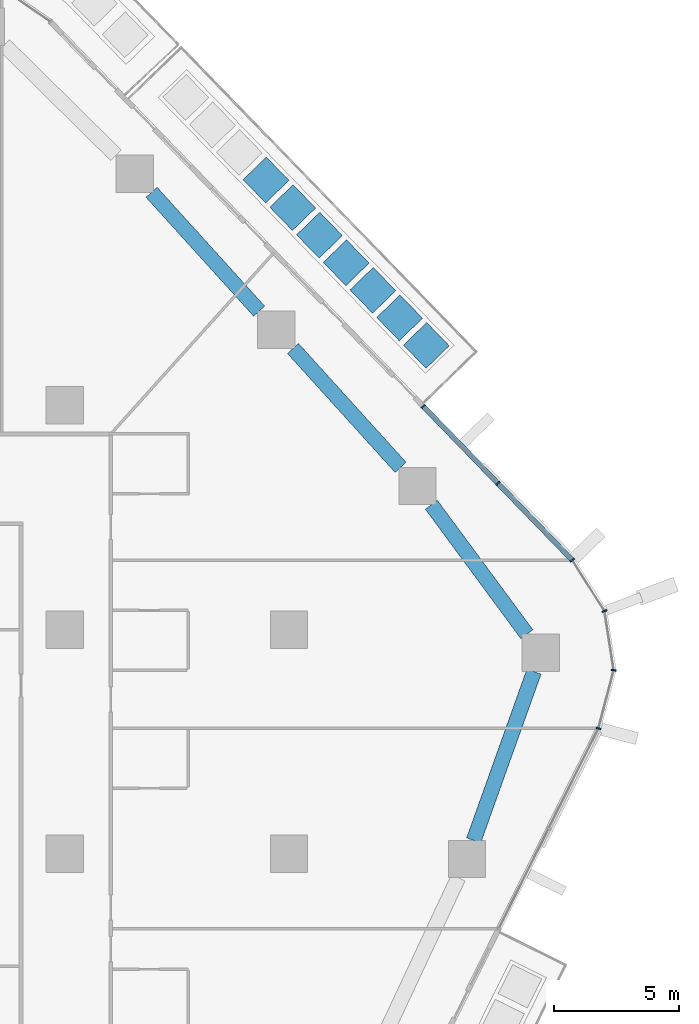
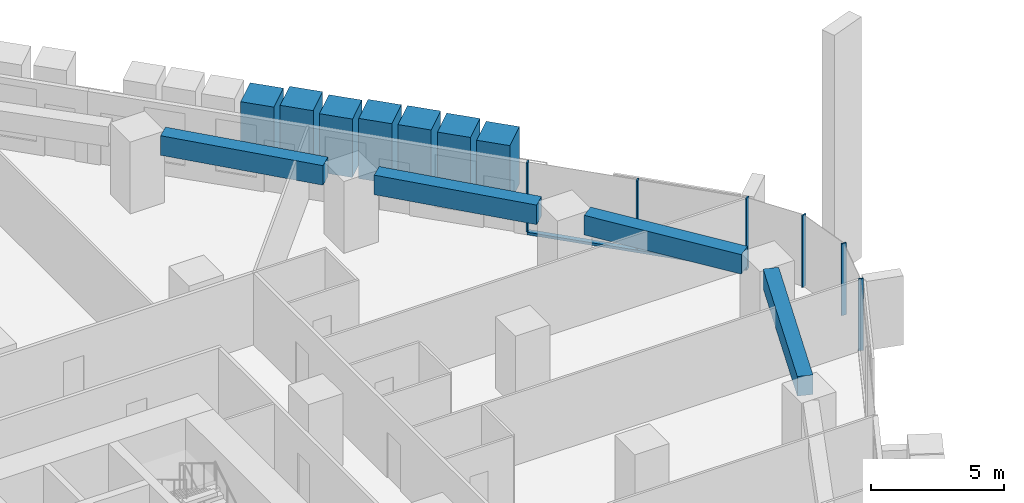
# One storey, part 8 of 27: 14 members, 4 beams, 2 elements without a shape of their own.
"""IFC4 building model written with IfcOpenShell, lengths in metres."""

from ifc_helpers import new_model, si_unit, direction, frame, origin, origin_2d, place, context, subcontext, project, spatial, rectangle, extrude, material, layer, layer_set, material_profile, profile_set, type_object, element, aggregate, save


model = new_model("IFC4")

# Units and contexts
model_context = context("Model", 3, precision=1e-05, world=origin(), true_north=direction((0.0, 1.0)))
body_context = subcontext(model_context, "Body", "Model", "MODEL_VIEW")
ifc_project = project(units=[si_unit("LENGTHUNIT", "METRE"), si_unit("AREAUNIT", "SQUARE_METRE"), si_unit("VOLUMEUNIT", "CUBIC_METRE"), si_unit("PLANEANGLEUNIT", "RADIAN"), si_unit("MASSUNIT", "GRAM", prefix="KILO")], contexts=[model_context])

# Site, building, storey
site_placement = place(None, origin())
site = spatial("IfcSite", under=ifc_project, at=site_placement, CompositionType="ELEMENT")
building_placement = place(site_placement, origin())
building = spatial("IfcBuilding", under=site, at=building_placement, Name="Dongbaek Canopy Tower", CompositionType="ELEMENT")
storey_placement = place(building_placement, frame((0.0, 0.0, 55.10009765625)))
storey = spatial("IfcBuildingStorey", under=building, at=storey_placement, Name="L09", CompositionType="ELEMENT", Elevation=55.10009765625)

# Curtain wall, members
ifc_material_1 = material(Name="Aluminium 6063-T6 pale anodised", Category="aluminium")
ifc_layer = layer(ifc_material_1, 0.199951171875)
ifc_layer_set = layer_set([ifc_layer], Name="CW-1 unitised tower curtain wall")
curtain_wall_type = type_object("IfcCurtainWallType", Name="CW-1 unitised tower curtain wall", PredefinedType="NOTDEFINED", material=ifc_layer_set)
curtain_wall_1_placement = place(storey_placement, origin())
curtain_wall_1 = element("IfcCurtainWall", 1, at=curtain_wall_1_placement, inside=storey, type_object=curtain_wall_type, Name="CW-1 curtain wall K0.1", PredefinedType="NOTDEFINED")
ifc_material_2 = material(Name="Aluminium 6063-T6 pale anodised", Category="aluminium")
ifc_material_profile_1 = material_profile(ifc_material_2, rectangle(XDim=0.199951171875, YDim=0.06005859375, at=origin_2d()), Name="CW-1 mullion 60 x 200")
ifc_profile_set_1 = profile_set([ifc_material_profile_1], Name="Aluminium 6063-T6 pale anodised")
member_type_1 = type_object("IfcMemberType", Name="CW-1 mullion 60 x 200", PredefinedType="MULLION", material=ifc_profile_set_1)
member_1_placement = place(storey_placement, frame((39.417724609375, 5.03466796875, 0.0), z_axis=(0.0, 0.0, 1.0), x_axis=(0.967250347585, -0.253824279961, 0.0)))
member_1 = element("IfcMember", 2, at=member_1_placement, type_object=member_type_1, Name="CW-1 mullion K0.1.1", PredefinedType="MULLION", context=body_context, shape_type="SweptSolid", body=[
    extrude(rectangle(XDim=0.199951171875, YDim=0.06005859375, at=origin_2d()), origin(), (0.0, 0.0, 1.0), 3.2998046875),
])
member_2_placement = place(storey_placement, frame((40.03076171875, 7.370849609375, 0.0), z_axis=(0.0, 0.0, 1.0), x_axis=(0.998682781596, -0.051309860105, 0.0)))
member_2 = element("IfcMember", 3, at=member_2_placement, type_object=member_type_1, Name="CW-1 mullion K0.1.2", PredefinedType="MULLION", context=body_context, shape_type="SweptSolid", body=[
    extrude(rectangle(XDim=0.199951171875, YDim=0.06005859375, at=origin_2d()), origin(), (0.0, 0.0, 1.0), 3.2998046875),
])
member_3_placement = place(storey_placement, frame((39.661865234375, 9.7470703125, 0.0), z_axis=(0.0, 0.0, 1.0), x_axis=(0.936154873842, 0.351587901074, 0.0)))
member_3 = element("IfcMember", 4, at=member_3_placement, type_object=member_type_1, Name="CW-1 mullion K0.1.3", PredefinedType="MULLION", context=body_context, shape_type="SweptSolid", body=[
    extrude(rectangle(XDim=0.199951171875, YDim=0.06005859375, at=origin_2d()), origin(), (0.0, 0.0, 1.0), 3.2998046875),
])
member_4_placement = place(storey_placement, frame((38.36962890625, 11.78759765625, 0.0), z_axis=(0.0, 0.0, 1.0), x_axis=(0.844820709713, 0.535049500926, 0.0)))
member_4 = element("IfcMember", 5, at=member_4_placement, type_object=member_type_1, Name="CW-1 mullion K0.1.4", PredefinedType="MULLION", context=body_context, shape_type="SweptSolid", body=[
    extrude(rectangle(XDim=0.199951171875, YDim=0.06005859375, at=origin_2d()), origin(), (0.0, 0.0, 1.0), 3.2998046875),
])
aggregate(curtain_wall_1, [member_1, member_2, member_3, member_4])

curtain_wall_2_placement = place(storey_placement, origin())
curtain_wall_2 = element("IfcCurtainWall", 6, at=curtain_wall_2_placement, inside=storey, type_object=curtain_wall_type, Name="CW-1 curtain wall F0.1", PredefinedType="NOTDEFINED")
member_5_placement = place(storey_placement, frame((35.3828125, 14.86865234375, 0.119873046875), z_axis=(0.0, 0.0, 1.0), x_axis=(0.718004001298, 0.69603897457, 0.0)))
member_5 = element("IfcMember", 7, at=member_5_placement, type_object=member_type_1, Name="CW-1 mullion F0.1.2", PredefinedType="MULLION", context=body_context, shape_type="SweptSolid", body=[
    extrude(rectangle(XDim=0.199951171875, YDim=0.06005859375, at=origin_2d()), origin(), (0.0, 0.0, 1.0), 3.179931640625),
])
member_6_placement = place(storey_placement, frame((32.388916015625, 17.95703125, 0.119873046875), z_axis=(0.0, 0.0, 1.0), x_axis=(0.718004001298, 0.69603897457, 0.0)))
member_6 = element("IfcMember", 8, at=member_6_placement, type_object=member_type_1, Name="CW-1 mullion F0.1.3", PredefinedType="MULLION", context=body_context, shape_type="SweptSolid", body=[
    extrude(rectangle(XDim=0.199951171875, YDim=0.06005859375, at=origin_2d()), origin(), (0.0, 0.0, 1.0), 3.179931640625),
])
ifc_material_3 = material(Name="Aluminium 6063-T6 pale anodised", Category="aluminium")
ifc_material_profile_2 = material_profile(ifc_material_3, rectangle(XDim=0.199951171875, YDim=0.1201171875, at=origin_2d()), Name="CW-1 transom 120 x 200")
ifc_profile_set_2 = profile_set([ifc_material_profile_2], Name="Aluminium 6063-T6 pale anodised")
member_type_2 = type_object("IfcMemberType", Name="CW-1 transom 120 x 200", PredefinedType="USERDEFINED", material=ifc_profile_set_2)
member_7_placement = place(storey_placement, frame((38.36962890625, 11.78759765625, 0.059814453125), z_axis=(-0.696039772903, 0.718003227386, 0.0), x_axis=(-0.718003227386, -0.696039772903, 0.0)))
member_7 = element("IfcMember", 9, at=member_7_placement, type_object=member_type_2, Name="CW-1 transom F0.1.1", ObjectType="TRANSOM", PredefinedType="USERDEFINED", context=body_context, shape_type="SweptSolid", body=[
    extrude(rectangle(XDim=0.199951171875, YDim=0.1201171875, at=origin_2d()), origin(), (0.0, 0.0, 1.0), 8.592529296875),
])
aggregate(curtain_wall_2, [member_5, member_6, member_7])

# Beams
ifc_material_4 = material(Name="Concrete C80", Category="concrete")
ifc_material_profile_3 = material_profile(ifc_material_4, rectangle(XDim=0.60009765625, YDim=0.89990234375, at=origin_2d()), Name="RC EDGE BEAM 600x900 C80")
ifc_profile_set_3 = profile_set([ifc_material_profile_3], Name="Concrete C80")
beam_type = type_object("IfcBeamType", Name="RC EDGE BEAM 600x900 C80", PredefinedType="BEAM", material=ifc_profile_set_3)
beam_1_placement = place(storey_placement, frame((21.484375, 26.547119140625, 2.849853515625), z_axis=(0.671288874095, -0.741195822652, 0.0), x_axis=(0.741195822652, 0.671288874095, 0.0)))
element("IfcBeam", 10, at=beam_1_placement, inside=storey, type_object=beam_type, Name="EDGEBEAM:L09:18", PredefinedType="BEAM", context=body_context, shape_type="SweptSolid", body=[
    extrude(rectangle(XDim=0.60009765625, YDim=0.89990234375, at=origin_2d()), origin(), (0.0, 0.0, 1.0), 6.432861328125),
])
beam_2_placement = place(storey_placement, frame((27.1611328125, 20.279052734375, 2.849853515625), z_axis=(0.671226318279, -0.741252473621, 0.0), x_axis=(0.741252473621, 0.671226318279, 0.0)))
element("IfcBeam", 11, at=beam_2_placement, inside=storey, type_object=beam_type, Name="EDGEBEAM:L09:19", PredefinedType="BEAM", context=body_context, shape_type="SweptSolid", body=[
    extrude(rectangle(XDim=0.60009765625, YDim=0.89990234375, at=origin_2d()), origin(), (0.0, 0.0, 1.0), 6.432373046875),
])
beam_3_placement = place(storey_placement, frame((32.71142578125, 14.010986328125, 2.849853515625), z_axis=(0.593731643304, -0.804663119411, 0.0), x_axis=(0.804663119411, 0.593731643304, 0.0)))
element("IfcBeam", 12, at=beam_3_placement, inside=storey, type_object=beam_type, Name="EDGEBEAM:L09:20", PredefinedType="BEAM", context=body_context, shape_type="SweptSolid", body=[
    extrude(rectangle(XDim=0.60009765625, YDim=0.89990234375, at=origin_2d()), origin(), (0.0, 0.0, 1.0), 6.456298828125),
])
beam_4_placement = place(storey_placement, frame((36.830078125, 7.31591796875, 2.849853515625), z_axis=(-0.336456848831, -0.941698884397, 0.0), x_axis=(0.941698884397, -0.336456848831, 0.0)))
element("IfcBeam", 13, at=beam_4_placement, inside=storey, type_object=beam_type, Name="EDGEBEAM:L09:21", PredefinedType="BEAM", context=body_context, shape_type="SweptSolid", body=[
    extrude(rectangle(XDim=0.60009765625, YDim=0.89990234375, at=origin_2d()), origin(), (0.0, 0.0, 1.0), 7.190185546875),
])

# Members
ifc_material_5 = material(Name="Concrete C40/50 planter mass with planting", Category="concrete")
ifc_material_profile_4 = material_profile(ifc_material_5, rectangle(XDim=1.300048828125, YDim=1.300048828125, at=origin_2d()), Name="Terrace PLANTER shrub mass 1300 x 1300")
ifc_profile_set_4 = profile_set([ifc_material_profile_4], Name="Concrete C40/50 planter mass with planting")
member_type_3 = type_object("IfcMemberType", Name="Terrace PLANTER shrub mass 1300 x 1300", PredefinedType="USERDEFINED", material=ifc_profile_set_4)
member_8_placement = place(storey_placement, frame((32.511474609375, 20.402099609375, 0.419921875), z_axis=(0.0, 0.0, 1.0), x_axis=(0.718004001298, 0.69603897457, 0.0)))
element("IfcMember", 14, at=member_8_placement, inside=storey, type_object=member_type_3, Name="Planter shrubs L09 1.1", ObjectType="PLANTER", PredefinedType="USERDEFINED", context=body_context, shape_type="SweptSolid", body=[
    extrude(rectangle(XDim=1.300048828125, YDim=1.300048828125, at=origin_2d()), origin(), (0.0, 0.0, 1.0), 2.64990234375),
])
member_9_placement = place(storey_placement, frame((31.439208984375, 21.50830078125, 0.419921875), z_axis=(0.0, 0.0, 1.0), x_axis=(0.718004001298, 0.69603897457, 0.0)))
element("IfcMember", 15, at=member_9_placement, inside=storey, type_object=member_type_3, Name="Planter shrubs L09 1.2", ObjectType="PLANTER", PredefinedType="USERDEFINED", context=body_context, shape_type="SweptSolid", body=[
    extrude(rectangle(XDim=1.300048828125, YDim=1.300048828125, at=origin_2d()), origin(), (0.0, 0.0, 1.0), 2.72998046875),
])
member_10_placement = place(storey_placement, frame((30.366943359375, 22.614501953125, 0.419921875), z_axis=(0.0, 0.0, 1.0), x_axis=(0.718004001298, 0.69603897457, 0.0)))
element("IfcMember", 16, at=member_10_placement, inside=storey, type_object=member_type_3, Name="Planter shrubs L09 1.3", ObjectType="PLANTER", PredefinedType="USERDEFINED", context=body_context, shape_type="SweptSolid", body=[
    extrude(rectangle(XDim=1.300048828125, YDim=1.300048828125, at=origin_2d()), origin(), (0.0, 0.0, 1.0), 2.780029296875),
])
member_11_placement = place(storey_placement, frame((29.294677734375, 23.720703125, 0.419921875), z_axis=(0.0, 0.0, 1.0), x_axis=(0.718004001298, 0.69603897457, 0.0)))
element("IfcMember", 17, at=member_11_placement, inside=storey, type_object=member_type_3, Name="Planter shrubs L09 1.4", ObjectType="PLANTER", PredefinedType="USERDEFINED", context=body_context, shape_type="SweptSolid", body=[
    extrude(rectangle(XDim=1.300048828125, YDim=1.300048828125, at=origin_2d()), origin(), (0.0, 0.0, 1.0), 2.77001953125),
])
member_12_placement = place(storey_placement, frame((28.222412109375, 24.82666015625, 0.419921875), z_axis=(0.0, 0.0, 1.0), x_axis=(0.718004001298, 0.69603897457, 0.0)))
element("IfcMember", 18, at=member_12_placement, inside=storey, type_object=member_type_3, Name="Planter shrubs L09 1.5", ObjectType="PLANTER", PredefinedType="USERDEFINED", context=body_context, shape_type="SweptSolid", body=[
    extrude(rectangle(XDim=1.300048828125, YDim=1.300048828125, at=origin_2d()), origin(), (0.0, 0.0, 1.0), 2.68994140625),
])
member_13_placement = place(storey_placement, frame((27.150146484375, 25.932861328125, 0.419921875), z_axis=(0.0, 0.0, 1.0), x_axis=(0.718004001298, 0.69603897457, 0.0)))
element("IfcMember", 19, at=member_13_placement, inside=storey, type_object=member_type_3, Name="Planter shrubs L09 1.6", ObjectType="PLANTER", PredefinedType="USERDEFINED", context=body_context, shape_type="SweptSolid", body=[
    extrude(rectangle(XDim=1.300048828125, YDim=1.300048828125, at=origin_2d()), origin(), (0.0, 0.0, 1.0), 2.780029296875),
])
member_14_placement = place(storey_placement, frame((26.07763671875, 27.0390625, 0.419921875), z_axis=(0.0, 0.0, 1.0), x_axis=(0.718004001298, 0.69603897457, 0.0)))
element("IfcMember", 20, at=member_14_placement, inside=storey, type_object=member_type_3, Name="Planter shrubs L09 1.7", ObjectType="PLANTER", PredefinedType="USERDEFINED", context=body_context, shape_type="SweptSolid", body=[
    extrude(rectangle(XDim=1.300048828125, YDim=1.300048828125, at=origin_2d()), origin(), (0.0, 0.0, 1.0), 2.64990234375),
])

save(model, "model.ifc")
